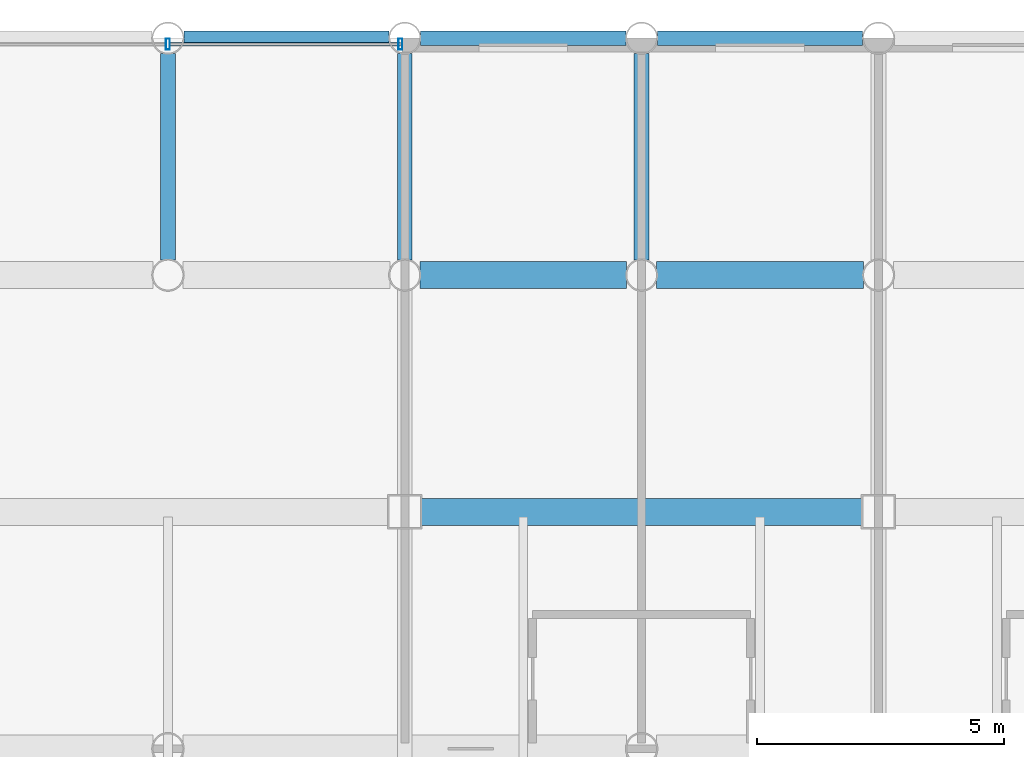
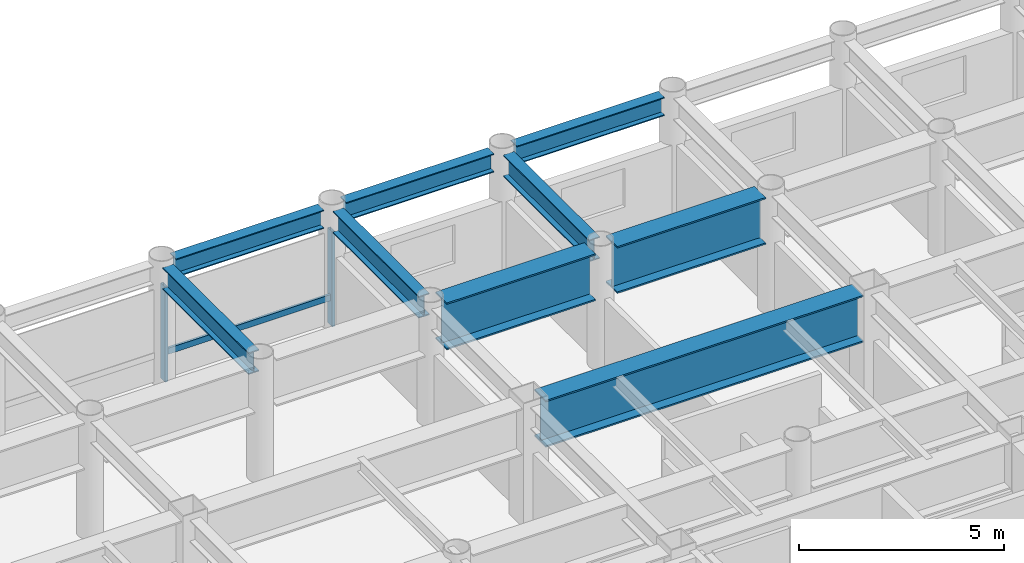
# One storey, part 12 of 23: 9 beams, 3 members, 1 element without a shape of its own.
"""IFC4 building model written with IfcOpenShell, lengths in metres."""

import ifcopenshell
import ifcopenshell.guid

model = None  # the IFC model being written
_history = None  # IfcOwnerHistory: only IFC2X3 demands one
_inside = {}  # id of a spatial element -> (the spatial element, [elements in it])
_under = {}  # id of a project, library or spatial element -> (it, [spatial elements below it])
_declared = {}  # id of a project -> (the project, [libraries it declares])
_typed = {}  # id of a type object -> (the type object, [elements of that type])
_made_of = {}  # id of a material, layer set ... -> (it, [elements and type objects made of it])


def new_model(schema):
    """Start an empty IFC model of exactly this schema.

    Asked for "IFC4X3", IfcOpenShell would pick the latest addendum, in which some entities
    have other attributes; the version numbers below select the first issue.
    IFC2X3 requires an IfcOwnerHistory on every rooted entity: one is made here for all.
    """
    global model, _history
    if schema == "IFC4X3":
        model = ifcopenshell.file(schema_version=(4, 3, 0, 0))
    else:
        model = ifcopenshell.file(schema=schema)
    _inside.clear()
    _under.clear()
    _declared.clear()
    _typed.clear()
    _made_of.clear()
    _history = None
    if model.schema == "IFC2X3":
        org = make("IfcOrganization", Name="unknown")
        user = make(
            "IfcPersonAndOrganization",
            ThePerson=make("IfcPerson", FamilyName="unknown"),
            TheOrganization=org,
        )
        app = make(
            "IfcApplication",
            ApplicationDeveloper=org,
            Version="unknown",
            ApplicationFullName="unknown",
            ApplicationIdentifier="unknown",
        )
        _history = make(
            "IfcOwnerHistory",
            OwningUser=user,
            OwningApplication=app,
            ChangeAction="ADDED",
            CreationDate=0,
        )
    return model


def make(cls, **values):
    """One entity of the class cls with the attributes given. An attribute that is None is left unset."""
    return model.create_entity(
        cls, **{name: value for name, value in values.items() if value is not None}
    )


def rooted(cls, **values):
    """An entity with a GlobalId (a new one), such as an element, a storey or a relation."""
    return make(cls, GlobalId=ifcopenshell.guid.new(), OwnerHistory=_history, **values)


def si_unit(unit_type, name, prefix=None):
    """IfcSIUnit, for example si_unit("LENGTHUNIT", "METRE", prefix="MILLI")."""
    return make("IfcSIUnit", UnitType=unit_type, Prefix=prefix, Name=name)


def assignment(units):
    """IfcUnitAssignment: the units of a project."""
    return None if units is None else make("IfcUnitAssignment", Units=units)


def point(xyz):
    """IfcCartesianPoint."""
    return None if xyz is None else make("IfcCartesianPoint", Coordinates=xyz)


def direction(xyz):
    """IfcDirection."""
    return None if xyz is None else make("IfcDirection", DirectionRatios=xyz)


def frame(location, z_axis=None, x_axis=None):
    """IfcAxis2Placement3D, a coordinate frame: its origin and axes. An axis left out is left unset."""
    return make(
        "IfcAxis2Placement3D",
        Location=point(location),
        Axis=direction(z_axis),
        RefDirection=direction(x_axis),
    )


def frame_2d(location, x_axis=None):
    """IfcAxis2Placement2D, a coordinate frame in the plane: its origin and x axis."""
    return make(
        "IfcAxis2Placement2D", Location=point(location), RefDirection=direction(x_axis)
    )


def origin():
    """The frame at (0, 0, 0) with its axes left unset."""
    return frame((0.0, 0.0, 0.0))


def origin_2d():
    """The frame at (0, 0) in the plane with its x axis left unset."""
    return frame_2d((0.0, 0.0))


def place(relative_to, where):
    """IfcLocalPlacement: puts the frame where relative to a parent placement (None: the world)."""
    return make(
        "IfcLocalPlacement", PlacementRelTo=relative_to, RelativePlacement=where
    )


def context(
    kind, dimensions, precision=None, world=None, true_north=None, identifier=None
):
    """IfcGeometricRepresentationContext, for example the 3D "Model" context."""
    return make(
        "IfcGeometricRepresentationContext",
        ContextIdentifier=identifier,
        ContextType=kind,
        CoordinateSpaceDimension=dimensions,
        Precision=precision,
        WorldCoordinateSystem=world,
        TrueNorth=true_north,
    )


def subcontext(parent, identifier, kind, view, scale=None):
    """IfcGeometricRepresentationSubContext, for example "Body" below "Model"."""
    return make(
        "IfcGeometricRepresentationSubContext",
        ContextIdentifier=identifier,
        ContextType=kind,
        ParentContext=parent,
        TargetScale=scale,
        TargetView=view,
    )


def project(units=None, contexts=None):
    """IfcProject with its units and contexts."""
    return rooted(
        "IfcProject",
        Name="project",
        RepresentationContexts=contexts,
        UnitsInContext=assignment(units),
    )


def spatial(cls, under=None, at=None, **own):
    """A site, building, storey or space (cls), placed at a placement, below another one or the project."""
    s = rooted(cls, ObjectPlacement=at, **own)
    if under is not None:
        _under.setdefault(under.id(), (under, []))[1].append(s)
    return s


def profile(cls, at=None, kind="AREA", **sizes):
    """A parametric profile (cls). Its sizes go by their IFC names, for example OverallWidth=200.0."""
    return make(cls, ProfileType=kind, Position=at, **sizes)


def hollow_rectangle(**sizes):
    """IfcRectangleHollowProfileDef."""
    return profile("IfcRectangleHollowProfileDef", **sizes)


def i_section(**sizes):
    """IfcIShapeProfileDef."""
    return profile("IfcIShapeProfileDef", **sizes)


def extrude(swept, where, along, depth):
    """IfcExtrudedAreaSolid: the profile swept, set in the frame where, extruded along a direction by depth."""
    return make(
        "IfcExtrudedAreaSolid",
        SweptArea=swept,
        Position=where,
        ExtrudedDirection=direction(along),
        Depth=depth,
    )


def shape(context_of_items, identifier, shape_type, items):
    """IfcShapeRepresentation: the items that make up one representation, for example the "Body"."""
    return make(
        "IfcShapeRepresentation",
        ContextOfItems=context_of_items,
        RepresentationIdentifier=identifier,
        RepresentationType=shape_type,
        Items=items,
    )


def material(Name=None, Category=None):
    """IfcMaterial."""
    return make("IfcMaterial", Name=Name, Category=Category)


def layer(
    of_material, thickness, ventilated=None, Name=None, Category=None, Priority=None
):
    """IfcMaterialLayer: one layer of a wall or slab, of a material (None: an air gap)."""
    return make(
        "IfcMaterialLayer",
        Material=of_material,
        LayerThickness=thickness,
        IsVentilated=ventilated,
        Name=Name,
        Category=Category,
        Priority=Priority,
    )


def layer_set(layers, Name=None):
    """IfcMaterialLayerSet."""
    return make("IfcMaterialLayerSet", MaterialLayers=layers, LayerSetName=Name)


def material_profile(
    of_material, cross_section, Name=None, Category=None, Priority=None
):
    """IfcMaterialProfile: a cross section and its material."""
    return make(
        "IfcMaterialProfile",
        Name=Name,
        Material=of_material,
        Profile=cross_section,
        Priority=Priority,
        Category=Category,
    )


def profile_set(profiles, Name=None, composite=None):
    """IfcMaterialProfileSet."""
    return make(
        "IfcMaterialProfileSet",
        Name=Name,
        MaterialProfiles=profiles,
        CompositeProfile=composite,
    )


def made_of(thing, what):
    """Note that an element or type object is made of a material, layer set ...; save() writes the relation."""
    if what is not None:
        _made_of.setdefault(what.id(), (what, []))[1].append(thing)
    return thing


def type_object(cls, material=None, **own):
    """A type object (cls), such as IfcWallType, which elements share."""
    return made_of(rooted(cls, **own), material)


def element(
    cls,
    number,
    at=None,
    inside=None,
    cuts=None,
    type_object=None,
    material=None,
    context=None,
    identifier="Body",
    shape_type=None,
    held_by="IfcProductDefinitionShape",
    body=None,
    shapes=None,
    **own,
):
    """One element of the class cls, such as IfcWall. Its Tag is "e" and its number.

    at: its placement. inside: the storey or other place that contains it. cuts: it is an
    opening in that element (IfcRelVoidsElement). A single representation is given by context,
    identifier, shape_type and body (its items); several are given by shapes. held_by: the class
    of the entity that holds the representations. save() writes the other relations.
    """
    e = rooted(cls, Tag="e%d" % number, ObjectPlacement=at, **own)
    if body is not None:
        shapes = [shape(context, identifier, shape_type, body)]
    if shapes is not None:
        e.Representation = make(held_by, Representations=shapes)
    if inside is not None:
        _inside.setdefault(inside.id(), (inside, []))[1].append(e)
    if cuts is not None:
        rooted(
            "IfcRelVoidsElement", RelatingBuildingElement=cuts, RelatedOpeningElement=e
        )
    if type_object is not None:
        _typed.setdefault(type_object.id(), (type_object, []))[1].append(e)
    return made_of(e, material)


def aggregate(whole, parts):
    """IfcRelAggregates: a whole, such as a stair, and the parts it consists of."""
    return rooted("IfcRelAggregates", RelatingObject=whole, RelatedObjects=parts)


def save(model, path):
    """Write the relations noted so far, then the file.

    IfcRelAggregates (storeys below a building ...), IfcRelContainedInSpatialStructure (elements
    in a storey), IfcRelDefinesByType, IfcRelAssociatesMaterial and IfcRelDeclares: one each for
    every whole, place, type object, material and project.
    """
    for whole, parts in _under.values():
        aggregate(whole, parts)
    for where, things in _inside.values():
        rooted(
            "IfcRelContainedInSpatialStructure",
            RelatedElements=things,
            RelatingStructure=where,
        )
    for kind, things in _typed.values():
        rooted("IfcRelDefinesByType", RelatedObjects=things, RelatingType=kind)
    for what, things in _made_of.values():
        rooted("IfcRelAssociatesMaterial", RelatedObjects=things, RelatingMaterial=what)
    for by, libraries in _declared.values():
        rooted("IfcRelDeclares", RelatingContext=by, RelatedDefinitions=libraries)
    model.write(path)


model = new_model("IFC4")

# Units and contexts
model_context = context("Model", 3, precision=1e-05, world=origin(), true_north=direction((0.0, 1.0)))
body_context = subcontext(model_context, "Body", "Model", "MODEL_VIEW")
ifc_project = project(units=[si_unit("LENGTHUNIT", "METRE"), si_unit("AREAUNIT", "SQUARE_METRE"), si_unit("VOLUMEUNIT", "CUBIC_METRE"), si_unit("PLANEANGLEUNIT", "RADIAN"), si_unit("MASSUNIT", "GRAM", prefix="KILO")], contexts=[model_context])

# Site, building, storey
site_placement = place(None, origin())
site = spatial("IfcSite", under=ifc_project, at=site_placement, CompositionType="ELEMENT")
building_placement = place(site_placement, origin())
building = spatial("IfcBuilding", under=site, at=building_placement, Name="Kallvorn Hotel Tower", CompositionType="ELEMENT")
storey_placement = place(building_placement, frame((0.0, 0.0, 121.10009765625)))
storey = spatial("IfcBuildingStorey", under=building, at=storey_placement, Name="L29", CompositionType="ELEMENT", Elevation=121.10009765625)

# Beams
ifc_material_1 = material(Name="Structural steel S355JR", Category="steel")
ifc_material_profile_1 = material_profile(ifc_material_1, i_section(OverallWidth=0.300048828125, OverallDepth=0.550048828125, WebThickness=0.014892578125, FlangeThickness=0.029052734375, at=origin_2d()), Name="HE 550 B")
ifc_profile_set_1 = profile_set([ifc_material_profile_1], Name="Structural steel S355JR")
beam_type_1 = type_object("IfcBeamType", Name="BM_HE550B", PredefinedType="SPANDREL", material=ifc_profile_set_1)
for number, where, z_axis, x_axis, name in (
    (1, (0.320068359375, 24.0, 3.244873046875), (1.0, 0.0, 0.0), (0.0, 1.0, 0.0), "L30 Perimeter Spandrel 178"),
    (2, (5.1201171875, 24.0, 3.244873046875), (1.0, 0.0, 0.0), (0.0, 1.0, 0.0), "L30 Perimeter Spandrel 179"),
):
    element("IfcBeam", number, at=place(storey_placement, frame(where, z_axis=z_axis, x_axis=x_axis)), inside=storey, type_object=beam_type_1, Name=name, PredefinedType="SPANDREL", context=body_context, shape_type="SweptSolid", body=[
        extrude(i_section(OverallWidth=0.300048828125, OverallDepth=0.550048828125, WebThickness=0.014892578125, FlangeThickness=0.029052734375, at=origin_2d()), origin(), (0.0, 0.0, 1.0), 4.159912109375),
    ])
beam_1_placement = place(storey_placement, frame((9.919921875, 24.0, 3.244873046875), z_axis=(1.0, 0.0, 0.0), x_axis=(0.0, 1.0, 0.0)))
element("IfcBeam", 3, at=beam_1_placement, inside=storey, type_object=beam_type_1, Name="L30 Perimeter Spandrel 180", PredefinedType="SPANDREL", context=body_context, shape_type="SweptSolid", body=[
    extrude(i_section(OverallWidth=0.300048828125, OverallDepth=0.550048828125, WebThickness=0.014892578125, FlangeThickness=0.029052734375, at=origin_2d()), origin(), (0.0, 0.0, 1.0), 4.16015625),
])
ifc_material_2 = material(Name="Structural steel S355JR", Category="steel")
ifc_material_profile_2 = material_profile(ifc_material_2, i_section(OverallWidth=0.300048828125, OverallDepth=0.64990234375, WebThickness=0.01611328125, FlangeThickness=0.031005859375, at=origin_2d()), Name="HE 650 B")
ifc_profile_set_2 = profile_set([ifc_material_profile_2], Name="Structural steel S355JR")
beam_type_2 = type_object("IfcBeamType", Name="BM_HE650B", PredefinedType="BEAM", material=ifc_profile_set_2)
for number, where, z_axis, x_axis, name in (
    (4, (0.0, 19.5048828125, 3.19482421875), (0.0, 1.0, 0.0), (-1.0, 0.0, 0.0), "L30 Primary Y-Girder 121"),
    (5, (4.800048828125, 19.5048828125, 3.19482421875), (0.0, 1.0, 0.0), (-1.0, 0.0, 0.0), "L30 Primary Y-Girder 126"),
    (6, (9.60009765625, 19.5048828125, 3.19482421875), (0.0, 1.0, 0.0), (-1.0, 0.0, 0.0), "L30 Primary Y-Girder 129"),
):
    element("IfcBeam", number, at=place(storey_placement, frame(where, z_axis=z_axis, x_axis=x_axis)), inside=storey, type_object=beam_type_2, Name=name, PredefinedType="BEAM", context=body_context, shape_type="SweptSolid", body=[
        extrude(i_section(OverallWidth=0.300048828125, OverallDepth=0.64990234375, WebThickness=0.01611328125, FlangeThickness=0.031005859375, at=origin_2d()), origin(), (0.0, 0.0, 1.0), 4.190185546875),
    ])
ifc_material_3 = material(Name="Structural steel S355JR", Category="steel")
ifc_material_profile_3 = material_profile(ifc_material_3, i_section(OverallWidth=0.550048828125, OverallDepth=1.39990234375, WebThickness=0.02490234375, FlangeThickness=0.044921875, at=origin_2d()), Name="PG 1400x550x25x45")
ifc_profile_set_3 = profile_set([ifc_material_profile_3], Name="Structural steel S355JR")
beam_type_3 = type_object("IfcBeamType", Name="BM_PG_1400", PredefinedType="BEAM", material=ifc_profile_set_3)
beam_2_placement = place(storey_placement, frame((5.125, 14.39990234375, 2.81982421875), z_axis=(1.0, 0.0, 0.0), x_axis=(0.0, 1.0, 0.0)))
element("IfcBeam", 7, at=beam_2_placement, inside=storey, type_object=beam_type_3, Name="L30 Primary X-Girder 64", PredefinedType="BEAM", context=body_context, shape_type="SweptSolid", body=[
    extrude(i_section(OverallWidth=0.550048828125, OverallDepth=1.39990234375, WebThickness=0.02490234375, FlangeThickness=0.044921875, at=origin_2d()), origin(), (0.0, 0.0, 1.0), 8.949951171875),
])
for number, where, z_axis, x_axis, name in (
    (8, (5.10498046875, 19.199951171875, 2.81982421875), (1.0, 0.0, 0.0), (0.0, 1.0, 0.0), "L30 Primary X-Girder 76"),
    (9, (9.905029296875, 19.199951171875, 2.81982421875), (1.0, 0.0, 0.0), (0.0, 1.0, 0.0), "L30 Primary X-Girder 77"),
):
    element("IfcBeam", number, at=place(storey_placement, frame(where, z_axis=z_axis, x_axis=x_axis)), inside=storey, type_object=beam_type_3, Name=name, PredefinedType="BEAM", context=body_context, shape_type="SweptSolid", body=[
        extrude(i_section(OverallWidth=0.550048828125, OverallDepth=1.39990234375, WebThickness=0.02490234375, FlangeThickness=0.044921875, at=origin_2d()), origin(), (0.0, 0.0, 1.0), 4.18994140625),
    ])

# Curtain wall, members
ifc_material_4 = material(Name="Thermally broken black-anodised aluminium AA 6063-T6", Category="aluminium")
ifc_layer = layer(ifc_material_4, 0.199951171875)
ifc_layer_set = layer_set([ifc_layer], Name="CW_SYS_3_HOTEL_LOW")
curtain_wall_type = type_object("IfcCurtainWallType", Name="CW_SYS_3_HOTEL_LOW", PredefinedType="USERDEFINED", material=ifc_layer_set)
curtain_wall_placement = place(storey_placement, origin())
curtain_wall = element("IfcCurtainWall", 10, at=curtain_wall_placement, inside=storey, type_object=curtain_wall_type, Name="L29 Dark-Glass Curtain Wall CW-L29-NC", ObjectType="UNITISED CURTAIN WALL", PredefinedType="USERDEFINED")
ifc_material_5 = material(Name="Thermally broken black-anodised aluminium AA 6063-T6", Category="aluminium")
ifc_material_profile_4 = material_profile(ifc_material_5, hollow_rectangle(XDim=0.080078125, YDim=0.219970703125, WallThickness=0.0048828125, at=origin_2d()), Name="MUL 220x80")
ifc_profile_set_4 = profile_set([ifc_material_profile_4], Name="Thermally broken black-anodised aluminium AA 6063-T6")
member_type_1 = type_object("IfcMemberType", Name="CW_MULLION_220x80", PredefinedType="MULLION", material=ifc_profile_set_4)
member_1_placement = place(storey_placement, frame((0.0, 23.8798828125, 0.02001953125), z_axis=(0.0, 0.0, 1.0), x_axis=(1.0, 0.0, 0.0)))
member_1 = element("IfcMember", 11, at=member_1_placement, type_object=member_type_1, Name="CW-L29-NC Mullion 01", PredefinedType="MULLION", context=body_context, shape_type="SweptSolid", body=[
    extrude(hollow_rectangle(XDim=0.080078125, YDim=0.219970703125, WallThickness=0.0048828125, at=origin_2d()), origin(), (0.0, 0.0, 1.0), 2.829833984375),
])
member_2_placement = place(storey_placement, frame((4.7099609375, 23.8798828125, 0.02001953125), z_axis=(0.0, 0.0, 1.0), x_axis=(1.0, 0.0, 0.0)))
member_2 = element("IfcMember", 12, at=member_2_placement, type_object=member_type_1, Name="CW-L29-NC Mullion 02", PredefinedType="MULLION", context=body_context, shape_type="SweptSolid", body=[
    extrude(hollow_rectangle(XDim=0.080078125, YDim=0.219970703125, WallThickness=0.0048828125, at=origin_2d()), origin(), (0.0, 0.0, 1.0), 2.829833984375),
])
ifc_material_6 = material(Name="Thermally broken black-anodised aluminium AA 6063-T6", Category="aluminium")
ifc_material_profile_5 = material_profile(ifc_material_6, hollow_rectangle(XDim=0.070068359375, YDim=0.179931640625, WallThickness=0.00390625, at=origin_2d()), Name="TRN 180x70")
ifc_profile_set_5 = profile_set([ifc_material_profile_5], Name="Thermally broken black-anodised aluminium AA 6063-T6")
member_type_2 = type_object("IfcMemberType", Name="CW_TRANSOM_180x70", PredefinedType="USERDEFINED", material=ifc_profile_set_5)
member_3_placement = place(storey_placement, frame((0.0400390625, 23.8798828125, 0.849853515625), z_axis=(1.0, 0.0, 0.0), x_axis=(0.0, 1.0, 0.0)))
member_3 = element("IfcMember", 13, at=member_3_placement, type_object=member_type_2, Name="CW-L29-NC Transom 01M", ObjectType="TRANSOM", PredefinedType="USERDEFINED", context=body_context, shape_type="SweptSolid", body=[
    extrude(hollow_rectangle(XDim=0.070068359375, YDim=0.179931640625, WallThickness=0.00390625, at=origin_2d()), origin(), (0.0, 0.0, 1.0), 4.669921875),
])
aggregate(curtain_wall, [member_1, member_2, member_3])

save(model, "model.ifc")
